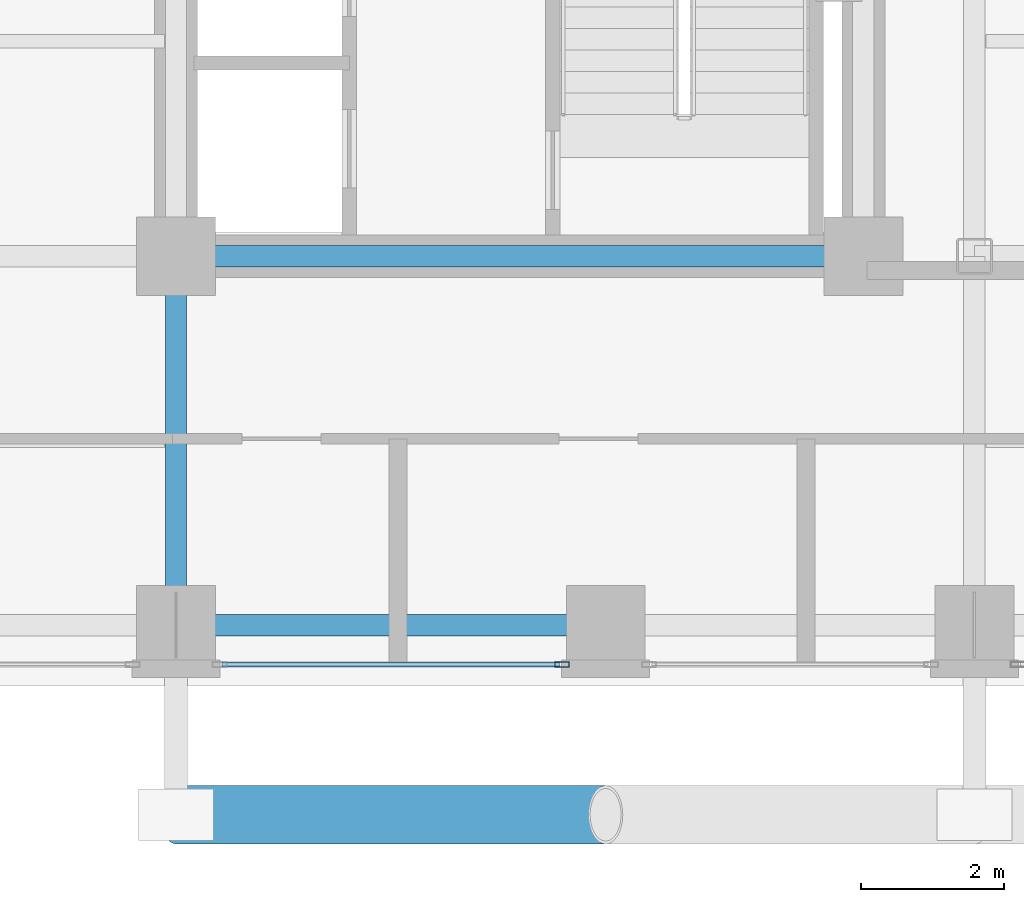
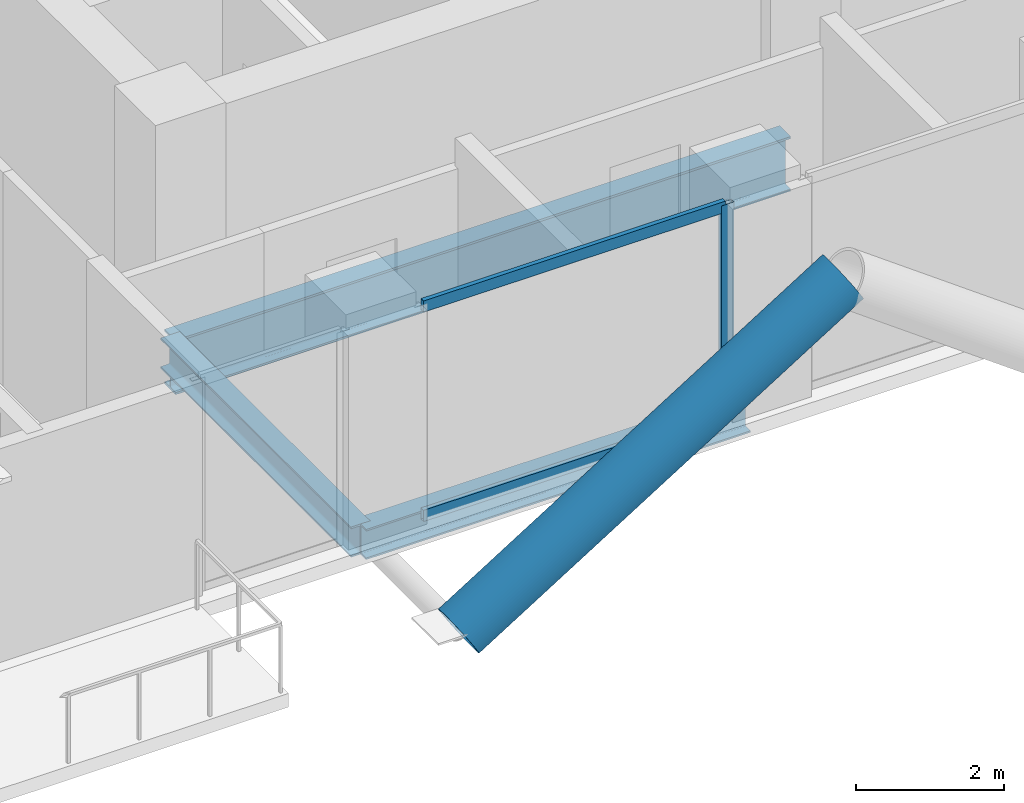
# One storey, part 4 of 24: 4 members, 3 beams, 1 element without a shape of its own.
"""IFC4 building model written with IfcOpenShell, lengths in metres."""

from ifc_helpers import new_model, si_unit, direction, frame, origin, origin_2d, place, context, subcontext, project, spatial, hollow_rectangle, hollow_circle, i_section, extrude, material, layer, layer_set, material_profile, profile_set, type_object, element, aggregate, save


model = new_model("IFC4")

# Units and contexts
model_context = context("Model", 3, precision=1e-05, world=origin(), true_north=direction((0.0, 1.0)))
body_context = subcontext(model_context, "Body", "Model", "MODEL_VIEW")
ifc_project = project(units=[si_unit("LENGTHUNIT", "METRE"), si_unit("AREAUNIT", "SQUARE_METRE"), si_unit("VOLUMEUNIT", "CUBIC_METRE"), si_unit("PLANEANGLEUNIT", "RADIAN"), si_unit("MASSUNIT", "GRAM", prefix="KILO"), si_unit("THERMODYNAMICTEMPERATUREUNIT", "KELVIN"), si_unit("POWERUNIT", "WATT")], contexts=[model_context])

# Site, building, storey
site_placement = place(None, origin())
site = spatial("IfcSite", under=ifc_project, at=site_placement, CompositionType="ELEMENT")
building_placement = place(site_placement, origin())
building = spatial("IfcBuilding", under=site, at=building_placement, Name="Svarakhadi Broadcast Tower", CompositionType="ELEMENT")
storey_placement = place(building_placement, frame((0.0, 0.0, 130.64990234375)))
storey = spatial("IfcBuildingStorey", under=building, at=storey_placement, Name="L31", CompositionType="ELEMENT", Elevation=130.64990234375)

# Curtain wall, members
ifc_material_1 = material(Name="Anodised Bronze Aluminium AA 6063-T6", Category="aluminium")
ifc_layer = layer(ifc_material_1, 0.199951171875)
ifc_layer_set = layer_set([ifc_layer], Name="Anodised Bronze Aluminium AA 6063-T6")
curtain_wall_type = type_object("IfcCurtainWallType", Name="CW_Sys_03", PredefinedType="NOTDEFINED", material=ifc_layer_set)
curtain_wall_placement = place(storey_placement, origin())
curtain_wall = element("IfcCurtainWall", 1, at=curtain_wall_placement, inside=storey, type_object=curtain_wall_type, Name="L31 South Curtain Wall 16 Bay 3", PredefinedType="NOTDEFINED")
ifc_material_profile_1 = material_profile(ifc_material_1, hollow_rectangle(XDim=0.074951171875, YDim=0.199951171875, WallThickness=0.005615234375, at=origin_2d()), Name="ALU MULLION 200x75x6")
ifc_profile_set_1 = profile_set([ifc_material_profile_1], Name="Anodised Bronze Aluminium AA 6063-T6")
member_type_1 = type_object("IfcMemberType", Name="CW_Sys_03_Mul", PredefinedType="MULLION", material=ifc_profile_set_1)
member_1_placement = place(storey_placement, frame((29.392578125, 0.300048828125, 0.0), z_axis=(0.0, 0.0, 1.0), x_axis=(0.0, -1.0, 0.0)))
member_1 = element("IfcMember", 2, at=member_1_placement, type_object=member_type_1, Name="CW-03 mullion 1", PredefinedType="MULLION", context=body_context, shape_type="SweptSolid", body=[
    extrude(hollow_rectangle(XDim=0.074951171875, YDim=0.199951171875, WallThickness=0.005615234375, at=origin_2d()), origin(), (0.0, 0.0, 1.0), 3.525146484375),
])
ifc_material_profile_2 = material_profile(ifc_material_1, hollow_rectangle(XDim=0.070068359375, YDim=0.18505859375, WallThickness=0.0048828125, at=origin_2d()), Name="ALU TRANSOM 185x70x5")
ifc_profile_set_2 = profile_set([ifc_material_profile_2], Name="Anodised Bronze Aluminium AA 6063-T6")
member_type_2 = type_object("IfcMemberType", Name="CW_Sys_03_Trn", PredefinedType="USERDEFINED", material=ifc_profile_set_2)
member_2_placement = place(storey_placement, frame((29.35498046875, 0.300048828125, 0.03515625), z_axis=(-1.0, 0.0, 0.0), x_axis=(0.0, -1.0, 0.0)))
member_2 = element("IfcMember", 3, at=member_2_placement, type_object=member_type_2, Name="CW-03 transom 1.1", ObjectType="TRANSOM", PredefinedType="USERDEFINED", context=body_context, shape_type="SweptSolid", body=[
    extrude(hollow_rectangle(XDim=0.070068359375, YDim=0.18505859375, WallThickness=0.0048828125, at=origin_2d()), origin(), (0.0, 0.0, 1.0), 4.7099609375),
])
member_3_placement = place(storey_placement, frame((29.35498046875, 0.300048828125, 3.489990234375), z_axis=(-1.0, 0.0, 0.0), x_axis=(0.0, -1.0, 0.0)))
member_3 = element("IfcMember", 4, at=member_3_placement, type_object=member_type_2, Name="CW-03 transom 1.2", ObjectType="TRANSOM", PredefinedType="USERDEFINED", context=body_context, shape_type="SweptSolid", body=[
    extrude(hollow_rectangle(XDim=0.070068359375, YDim=0.18505859375, WallThickness=0.0048828125, at=origin_2d()), origin(), (0.0, 0.0, 1.0), 4.7099609375),
])
aggregate(curtain_wall, [member_1, member_2, member_3])

# Member
ifc_material_2 = material(Name="Steel S460ML (IS 2062 E450BR)", Category="steel")
ifc_material_profile_3 = material_profile(ifc_material_2, hollow_circle(Radius=0.406494140625, WallThickness=0.0400390625, at=origin_2d()), Name="CHS 813x40")
ifc_profile_set_3 = profile_set([ifc_material_profile_3], Name="Steel S460ML (IS 2062 E450BR)")
member_type_3 = type_object("IfcMemberType", Name="Exo_Brace_CHS813", PredefinedType="BRACE", material=ifc_profile_set_3)
member_4_placement = place(storey_placement, frame((24.0, -1.800048828125, -0.386962890625), z_axis=(0.847998304005, 0.0, 0.529998940003), x_axis=(0.0, 1.0, 0.0)))
element("IfcMember", 5, at=member_4_placement, inside=storey, type_object=member_type_3, Name="L31 Exposed Bronze Exoskeleton Diagonal S01", PredefinedType="BRACE", context=body_context, shape_type="SweptSolid", body=[
    extrude(hollow_circle(Radius=0.406494140625, WallThickness=0.0400390625, at=origin_2d()), origin(), (0.0, 0.0, 1.0), 7.075439453125),
])

# Beams
ifc_material_3 = material(Name="Steel S355J2 (IS 2062 E350C)", Category="steel")
ifc_material_profile_4 = material_profile(ifc_material_3, i_section(OverallWidth=0.300048828125, OverallDepth=0.5, WebThickness=0.014404296875, FlangeThickness=0.028076171875, FilletRadius=0.027099609375, at=origin_2d()), Name="WPB 500x300x187")
ifc_profile_set_4 = profile_set([ifc_material_profile_4], Name="Steel S355J2 (IS 2062 E350C)")
beam_type_1 = type_object("IfcBeamType", Name="Girder_WPB500", PredefinedType="USERDEFINED", material=ifc_profile_set_4)
beam_1_placement = place(storey_placement, frame((24.0, 0.85009765625, -0.474853515625), z_axis=(1.0, 0.0, 0.0), x_axis=(0.0, 1.0, 0.0)))
element("IfcBeam", 6, at=beam_1_placement, inside=storey, type_object=beam_type_1, Name="L31 Primary E-W Girder G007", ObjectType="GIRDER", PredefinedType="USERDEFINED", context=body_context, shape_type="SweptSolid", body=[
    extrude(i_section(OverallWidth=0.300048828125, OverallDepth=0.5, WebThickness=0.014404296875, FlangeThickness=0.028076171875, FilletRadius=0.027099609375, at=origin_2d()), origin(), (0.0, 0.0, 1.0), 6.0),
])
beam_2_placement = place(storey_placement, frame((24.0, 0.85009765625, -0.474853515625), z_axis=(0.0, 1.0, 0.0), x_axis=(-1.0, 0.0, 0.0)))
element("IfcBeam", 7, at=beam_2_placement, inside=storey, type_object=beam_type_1, Name="L31 Primary N-S Girder G062", ObjectType="GIRDER", PredefinedType="USERDEFINED", context=body_context, shape_type="SweptSolid", body=[
    extrude(i_section(OverallWidth=0.300048828125, OverallDepth=0.5, WebThickness=0.014404296875, FlangeThickness=0.028076171875, FilletRadius=0.027099609375, at=origin_2d()), origin(), (0.0, 0.0, 1.0), 5.14990234375),
])
ifc_material_profile_5 = material_profile(ifc_material_2, i_section(OverallWidth=0.300048828125, OverallDepth=0.89990234375, WebThickness=0.0185546875, FlangeThickness=0.034912109375, FilletRadius=0.030029296875, at=origin_2d()), Name="WPB 900x300x291")
ifc_profile_set_5 = profile_set([ifc_material_profile_5], Name="Steel S460ML (IS 2062 E450BR)")
beam_type_2 = type_object("IfcBeamType", Name="Girder_WPB900", PredefinedType="USERDEFINED", material=ifc_profile_set_5)
beam_3_placement = place(storey_placement, frame((24.0, 6.0, -0.6748046875), z_axis=(1.0, 0.0, 0.0), x_axis=(0.0, 1.0, 0.0)))
element("IfcBeam", 8, at=beam_3_placement, inside=storey, type_object=beam_type_2, Name="L31 Primary E-W Girder G014", ObjectType="GIRDER", PredefinedType="USERDEFINED", context=body_context, shape_type="SweptSolid", body=[
    extrude(i_section(OverallWidth=0.300048828125, OverallDepth=0.89990234375, WebThickness=0.0185546875, FlangeThickness=0.034912109375, FilletRadius=0.030029296875, at=origin_2d()), origin(), (0.0, 0.0, 1.0), 9.60009765625),
])

save(model, "model.ifc")
